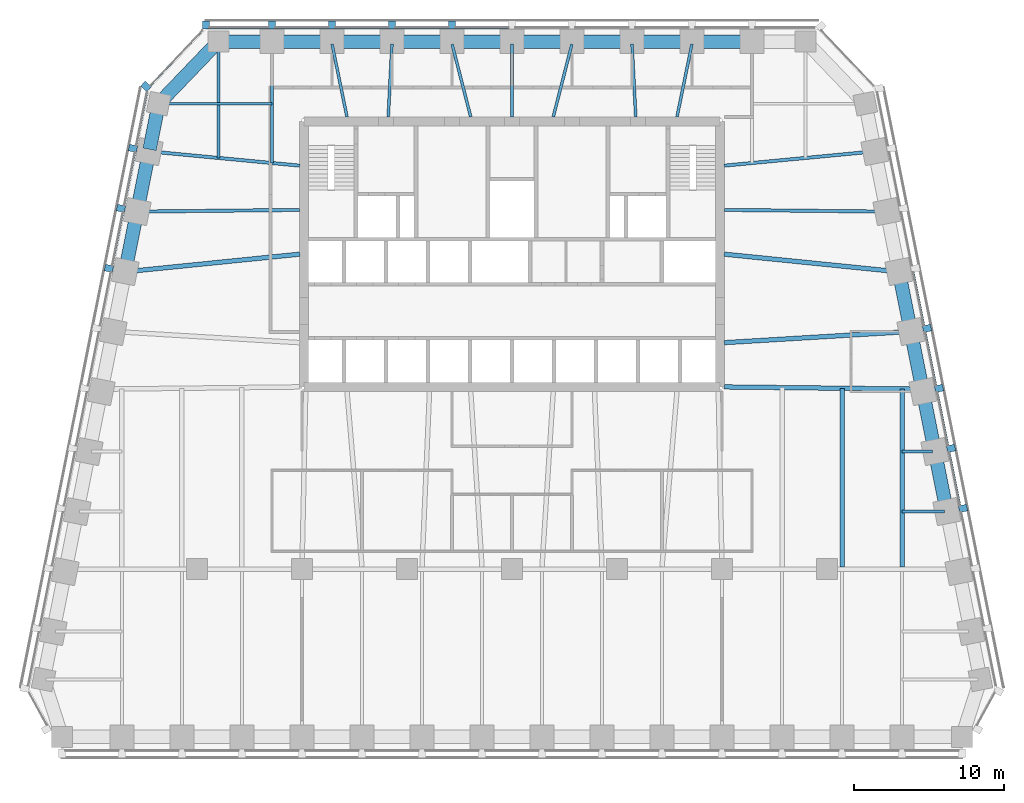
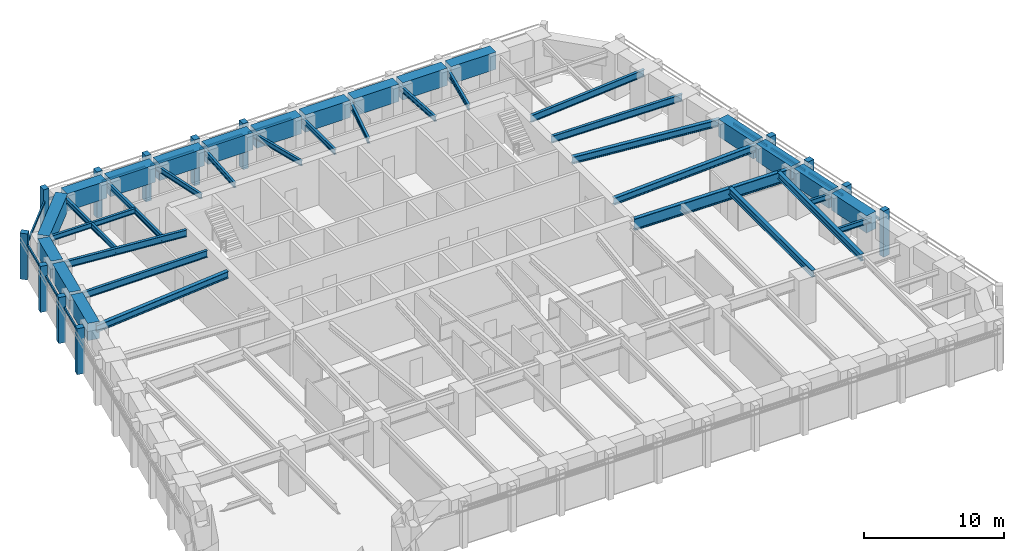
# One storey, part 3 of 9: 39 beams, 26 members, 4 elements without a shape of their own.
"""IFC4 building model written with IfcOpenShell, lengths in metres."""

from ifc_helpers import new_model, si_unit, direction, frame, origin, origin_2d, place, context, subcontext, project, spatial, rectangle, i_section, extrude, material, material_profile, profile_set, type_object, element, aggregate, save


model = new_model("IFC4")

# Units and contexts
model_context = context("Model", 3, precision=1e-05, world=origin(), true_north=direction((0.0, 1.0)))
body_context = subcontext(model_context, "Body", "Model", "MODEL_VIEW")
ifc_project = project(units=[si_unit("LENGTHUNIT", "METRE"), si_unit("AREAUNIT", "SQUARE_METRE"), si_unit("VOLUMEUNIT", "CUBIC_METRE"), si_unit("PLANEANGLEUNIT", "RADIAN"), si_unit("MASSUNIT", "GRAM", prefix="KILO")], contexts=[model_context])

# Site, building, storey
site_placement = place(None, origin())
site = spatial("IfcSite", under=ifc_project, at=site_placement, CompositionType="ELEMENT")
building_placement = place(site_placement, origin())
building = spatial("IfcBuilding", under=site, at=building_placement, Name="Isbrekke Arena Tower", CompositionType="ELEMENT")
storey_placement = place(building_placement, frame((0.0, 0.0, 178.0)))
storey = spatial("IfcBuildingStorey", under=building, at=storey_placement, Name="L40", CompositionType="ELEMENT", Elevation=178.0)

# Beams
ifc_material_1 = material(Name="Steel S355", Category="steel")
ifc_material_profile_1 = material_profile(ifc_material_1, i_section(OverallWidth=0.219970703125, OverallDepth=0.60009765625, WebThickness=0.011962890625, FlangeThickness=0.01904296875, FilletRadius=0.02392578125, at=origin_2d()), Name="IPE 600")
ifc_profile_set_1 = profile_set([ifc_material_profile_1], Name="Steel S355")
beam_type_1 = type_object("IfcBeamType", Name="B1 IPE 600", PredefinedType="BEAM", material=ifc_profile_set_1)
beam_1_placement = place(storey_placement, frame((24.83984375, 17.838134765625, 3.550048828125), z_axis=(-0.999945299061, 0.010459392202, 0.0), x_axis=(-0.010459392202, -0.999945299061, 0.0)))
element("IfcBeam", 1, at=beam_1_placement, inside=storey, type_object=beam_type_1, Name="B1 beam E-E09 L40", PredefinedType="BEAM", context=body_context, shape_type="SweptSolid", body=[
    extrude(i_section(OverallWidth=0.219970703125, OverallDepth=0.60009765625, WebThickness=0.011962890625, FlangeThickness=0.01904296875, FilletRadius=0.02392578125, at=origin_2d()), origin(), (0.0, 0.0, 1.0), 10.6904296875),
])
for number, where, z_axis, x_axis, name in (
    (2, (24.03076171875, 21.837158203125, 3.550048828125), (-0.99553133081, -0.094431823952, 0.0), (0.094431823952, -0.99553133081, 0.0), "B1 beam E-E10 L40"),
    (3, (-24.03076171875, 21.837158203125, 3.550048828125), (0.99553133081, -0.094431823952, 0.0), (0.094431823952, 0.99553133081, 0.0), "B1 beam E-W02 L40"),
):
    element("IfcBeam", number, at=place(storey_placement, frame(where, z_axis=z_axis, x_axis=x_axis)), inside=storey, type_object=beam_type_1, Name=name, PredefinedType="BEAM", context=body_context, shape_type="SweptSolid", body=[
        extrude(i_section(OverallWidth=0.219970703125, OverallDepth=0.60009765625, WebThickness=0.011962890625, FlangeThickness=0.01904296875, FilletRadius=0.02392578125, at=origin_2d()), origin(), (0.0, 0.0, 1.0), 9.92529296875),
    ])
beam_2_placement = place(storey_placement, frame((-24.83984375, 17.838134765625, 3.550048828125), z_axis=(0.999945299061, 0.010459392202, 0.0), x_axis=(-0.010459392202, 0.999945299061, 0.0)))
element("IfcBeam", 4, at=beam_2_placement, inside=storey, type_object=beam_type_1, Name="B1 beam E-W03 L40", PredefinedType="BEAM", context=body_context, shape_type="SweptSolid", body=[
    extrude(i_section(OverallWidth=0.219970703125, OverallDepth=0.60009765625, WebThickness=0.011962890625, FlangeThickness=0.01904296875, FilletRadius=0.02392578125, at=origin_2d()), origin(), (0.0, 0.0, 1.0), 10.6904296875),
])
ifc_material_2 = material(Name="Steel S355", Category="steel")
ifc_material_profile_2 = material_profile(ifc_material_2, i_section(OverallWidth=0.18994140625, OverallDepth=0.449951171875, WebThickness=0.009521484375, FlangeThickness=0.0146484375, FilletRadius=0.02099609375, at=origin_2d()), Name="IPE 450")
ifc_profile_set_2 = profile_set([ifc_material_profile_2], Name="Steel S355")
beam_type_2 = type_object("IfcBeamType", Name="B2 IPE 450", PredefinedType="BEAM", material=ifc_profile_set_2)
beam_3_placement = place(storey_placement, frame((28.841064453125, -2.161865234375, 3.625), z_axis=(-1.0, 0.0, 0.0), x_axis=(0.0, -1.0, 0.0)))
element("IfcBeam", 5, at=beam_3_placement, inside=storey, type_object=beam_type_2, Name="B2 beam E-E04 L40", PredefinedType="BEAM", context=body_context, shape_type="SweptSolid", body=[
    extrude(i_section(OverallWidth=0.18994140625, OverallDepth=0.449951171875, WebThickness=0.009521484375, FlangeThickness=0.0146484375, FilletRadius=0.02099609375, at=origin_2d()), origin(), (0.0, 0.0, 1.0), 2.841064453125),
])
beam_4_placement = place(storey_placement, frame((28.041015625, 1.838134765625, 3.625), z_axis=(-1.0, 0.0, 0.0), x_axis=(0.0, -1.0, 0.0)))
element("IfcBeam", 6, at=beam_4_placement, inside=storey, type_object=beam_type_2, Name="B2 beam E-E05 L40", PredefinedType="BEAM", context=body_context, shape_type="SweptSolid", body=[
    extrude(i_section(OverallWidth=0.18994140625, OverallDepth=0.449951171875, WebThickness=0.009521484375, FlangeThickness=0.0146484375, FilletRadius=0.02099609375, at=origin_2d()), origin(), (0.0, 0.0, 1.0), 2.041015625),
])
beam_5_placement = place(storey_placement, frame((-23.40283203125, 25.029296875, 3.625), z_axis=(1.0, 0.0, 0.0), x_axis=(0.0, 1.0, 0.0)))
element("IfcBeam", 7, at=beam_5_placement, inside=storey, type_object=beam_type_2, Name="B2 beam E-W01 L40", PredefinedType="BEAM", context=body_context, shape_type="SweptSolid", body=[
    extrude(i_section(OverallWidth=0.18994140625, OverallDepth=0.449951171875, WebThickness=0.009521484375, FlangeThickness=0.0146484375, FilletRadius=0.02099609375, at=origin_2d()), origin(), (0.0, 0.0, 1.0), 7.40283203125),
])
ifc_material_3 = material(Name="Steel S355", Category="steel")
ifc_material_profile_3 = material_profile(ifc_material_3, i_section(OverallWidth=0.18994140625, OverallDepth=0.449951171875, WebThickness=0.009521484375, FlangeThickness=0.0146484375, FilletRadius=0.02099609375, at=origin_2d()), Name="IPE 450")
ifc_profile_set_3 = profile_set([ifc_material_profile_3], Name="Steel S355")
beam_type_3 = type_object("IfcBeamType", Name="B3 IPE 450", PredefinedType="BEAM", material=ifc_profile_set_3)
beam_6_placement = place(storey_placement, frame((-16.0, 29.02490234375, 3.625), z_axis=(0.0, -1.0, 0.0), x_axis=(1.0, 0.0, 0.0)))
element("IfcBeam", 8, at=beam_6_placement, inside=storey, type_object=beam_type_3, Name="B3 beam N-N10 L40", PredefinedType="BEAM", context=body_context, shape_type="SweptSolid", body=[
    extrude(i_section(OverallWidth=0.18994140625, OverallDepth=0.449951171875, WebThickness=0.009521484375, FlangeThickness=0.0146484375, FilletRadius=0.02099609375, at=origin_2d()), origin(), (0.0, 0.0, 1.0), 7.949462890625),
])
beam_7_placement = place(storey_placement, frame((-19.574951171875, 29.02490234375, 3.625), z_axis=(0.0, -1.0, 0.0), x_axis=(1.0, 0.0, 0.0)))
element("IfcBeam", 9, at=beam_7_placement, inside=storey, type_object=beam_type_3, Name="B3 beam N-N11 L40", PredefinedType="BEAM", context=body_context, shape_type="SweptSolid", body=[
    extrude(i_section(OverallWidth=0.18994140625, OverallDepth=0.449951171875, WebThickness=0.009521484375, FlangeThickness=0.0146484375, FilletRadius=0.02099609375, at=origin_2d()), origin(), (0.0, 0.0, 1.0), 7.6103515625),
])
beam_8_placement = place(storey_placement, frame((11.99609375, 29.00634765625, 3.625), z_axis=(-0.200924755878, -0.979606677435, 0.0), x_axis=(0.979606677435, -0.200924755878, 0.0)))
element("IfcBeam", 10, at=beam_8_placement, inside=storey, type_object=beam_type_3, Name="B3 beam N-N03 L40", PredefinedType="BEAM", context=body_context, shape_type="SweptSolid", body=[
    extrude(i_section(OverallWidth=0.18994140625, OverallDepth=0.449951171875, WebThickness=0.009521484375, FlangeThickness=0.0146484375, FilletRadius=0.02099609375, at=origin_2d()), origin(), (0.0, 0.0, 1.0), 4.95751953125),
])
beam_9_placement = place(storey_placement, frame((8.000244140625, 29.02001953125, 3.625), z_axis=(0.051216032312, -0.998687597817, 0.0), x_axis=(0.998687597817, 0.051216032312, 0.0)))
element("IfcBeam", 11, at=beam_9_placement, inside=storey, type_object=beam_type_3, Name="B3 beam N-N04 L40", PredefinedType="BEAM", context=body_context, shape_type="SweptSolid", body=[
    extrude(i_section(OverallWidth=0.18994140625, OverallDepth=0.449951171875, WebThickness=0.009521484375, FlangeThickness=0.0146484375, FilletRadius=0.02099609375, at=origin_2d()), origin(), (0.0, 0.0, 1.0), 4.87646484375),
])
beam_10_placement = place(storey_placement, frame((3.994140625, 29.002197265625, 3.625), z_axis=(-0.248368314686, -0.968665670012, 0.0), x_axis=(0.968665670012, -0.248368314686, 0.0)))
element("IfcBeam", 12, at=beam_10_placement, inside=storey, type_object=beam_type_3, Name="B3 beam N-N05 L40", PredefinedType="BEAM", context=body_context, shape_type="SweptSolid", body=[
    extrude(i_section(OverallWidth=0.18994140625, OverallDepth=0.449951171875, WebThickness=0.009521484375, FlangeThickness=0.0146484375, FilletRadius=0.02099609375, at=origin_2d()), origin(), (0.0, 0.0, 1.0), 5.00927734375),
])
beam_11_placement = place(storey_placement, frame((0.0, 29.02490234375, 3.625), z_axis=(0.0, -1.0, 0.0), x_axis=(1.0, 0.0, 0.0)))
element("IfcBeam", 13, at=beam_11_placement, inside=storey, type_object=beam_type_3, Name="B3 beam N-N06 L40", PredefinedType="BEAM", context=body_context, shape_type="SweptSolid", body=[
    extrude(i_section(OverallWidth=0.18994140625, OverallDepth=0.449951171875, WebThickness=0.009521484375, FlangeThickness=0.0146484375, FilletRadius=0.02099609375, at=origin_2d()), origin(), (0.0, 0.0, 1.0), 4.875),
])
beam_12_placement = place(storey_placement, frame((-3.994140625, 29.002197265625, 3.625), z_axis=(0.248368314686, -0.968665670012, 0.0), x_axis=(0.968665670012, 0.248368314686, 0.0)))
element("IfcBeam", 14, at=beam_12_placement, inside=storey, type_object=beam_type_3, Name="B3 beam N-N07 L40", PredefinedType="BEAM", context=body_context, shape_type="SweptSolid", body=[
    extrude(i_section(OverallWidth=0.18994140625, OverallDepth=0.449951171875, WebThickness=0.009521484375, FlangeThickness=0.0146484375, FilletRadius=0.02099609375, at=origin_2d()), origin(), (0.0, 0.0, 1.0), 5.00927734375),
])
beam_13_placement = place(storey_placement, frame((-8.000244140625, 29.02001953125, 3.625), z_axis=(-0.051216032312, -0.998687597817, 0.0), x_axis=(0.998687597817, -0.051216032312, 0.0)))
element("IfcBeam", 15, at=beam_13_placement, inside=storey, type_object=beam_type_3, Name="B3 beam N-N08 L40", PredefinedType="BEAM", context=body_context, shape_type="SweptSolid", body=[
    extrude(i_section(OverallWidth=0.18994140625, OverallDepth=0.449951171875, WebThickness=0.009521484375, FlangeThickness=0.0146484375, FilletRadius=0.02099609375, at=origin_2d()), origin(), (0.0, 0.0, 1.0), 4.87646484375),
])
beam_14_placement = place(storey_placement, frame((-11.99609375, 29.00634765625, 3.625), z_axis=(0.200924755878, -0.979606677435, 0.0), x_axis=(0.979606677435, 0.200924755878, 0.0)))
element("IfcBeam", 16, at=beam_14_placement, inside=storey, type_object=beam_type_3, Name="B3 beam N-N09 L40", PredefinedType="BEAM", context=body_context, shape_type="SweptSolid", body=[
    extrude(i_section(OverallWidth=0.18994140625, OverallDepth=0.449951171875, WebThickness=0.009521484375, FlangeThickness=0.0146484375, FilletRadius=0.02099609375, at=origin_2d()), origin(), (0.0, 0.0, 1.0), 4.95751953125),
])
ifc_material_4 = material(Name="Steel S355", Category="steel")
ifc_material_profile_4 = material_profile(ifc_material_4, i_section(OverallWidth=0.300048828125, OverallDepth=0.60009765625, WebThickness=0.015380859375, FlangeThickness=0.030029296875, FilletRadius=0.027099609375, at=origin_2d()), Name="HEB 600")
ifc_profile_set_4 = profile_set([ifc_material_profile_4], Name="Steel S355")
beam_type_4 = type_object("IfcBeamType", Name="B7 HEB 600", PredefinedType="BEAM", material=ifc_profile_set_4)
beam_15_placement = place(storey_placement, frame((22.0, -5.84912109375, 3.550048828125), z_axis=(0.0, 1.0, 0.0), x_axis=(-1.0, 0.0, 0.0)))
element("IfcBeam", 17, at=beam_15_placement, inside=storey, type_object=beam_type_4, Name="B7 beam C-M13 L40", PredefinedType="BEAM", context=body_context, shape_type="SweptSolid", body=[
    extrude(i_section(OverallWidth=0.300048828125, OverallDepth=0.60009765625, WebThickness=0.015380859375, FlangeThickness=0.030029296875, FilletRadius=0.027099609375, at=origin_2d()), origin(), (0.0, 0.0, 1.0), 11.91015625),
])
beam_16_placement = place(storey_placement, frame((26.0, -5.84912109375, 3.550048828125), z_axis=(0.0, 1.0, 0.0), x_axis=(-1.0, 0.0, 0.0)))
element("IfcBeam", 18, at=beam_16_placement, inside=storey, type_object=beam_type_4, Name="B7 beam C-M14 L40", PredefinedType="BEAM", context=body_context, shape_type="SweptSolid", body=[
    extrude(i_section(OverallWidth=0.300048828125, OverallDepth=0.60009765625, WebThickness=0.015380859375, FlangeThickness=0.030029296875, FilletRadius=0.027099609375, at=origin_2d()), origin(), (0.0, 0.0, 1.0), 11.864990234375),
])
beam_17_placement = place(storey_placement, frame((26.43212890625, 9.837646484375, 3.550048828125), z_axis=(-0.998201854902, -0.059942112659, 0.0), x_axis=(0.059942112659, -0.998201854902, 0.0)))
element("IfcBeam", 19, at=beam_17_placement, inside=storey, type_object=beam_type_4, Name="B7 beam E-E07 L40", PredefinedType="BEAM", context=body_context, shape_type="SweptSolid", body=[
    extrude(i_section(OverallWidth=0.300048828125, OverallDepth=0.60009765625, WebThickness=0.015380859375, FlangeThickness=0.030029296875, FilletRadius=0.027099609375, at=origin_2d()), origin(), (0.0, 0.0, 1.0), 12.304443359375),
])
for number, where, z_axis, x_axis, name in (
    (20, (25.6259765625, 13.83984375, 3.550048828125), (-0.994928891111, 0.100580821396, 0.0), (-0.100580821396, -0.994928891111, 0.0), "B7 beam E-E08 L40"),
    (21, (-25.6259765625, 13.83984375, 3.550048828125), (0.994928891111, 0.100580821396, 0.0), (-0.100580821396, 0.994928891111, 0.0), "B7 beam E-W04 L40"),
):
    element("IfcBeam", number, at=place(storey_placement, frame(where, z_axis=z_axis, x_axis=x_axis)), inside=storey, type_object=beam_type_4, Name=name, PredefinedType="BEAM", context=body_context, shape_type="SweptSolid", body=[
        extrude(i_section(OverallWidth=0.300048828125, OverallDepth=0.60009765625, WebThickness=0.015380859375, FlangeThickness=0.030029296875, FilletRadius=0.027099609375, at=origin_2d()), origin(), (0.0, 0.0, 1.0), 11.53466796875),
    ])

# Curtain wall, members
ifc_material_5 = material(Name="Glazed aluminium curtain wall", Category="aluminium")
curtain_wall_type = type_object("IfcCurtainWallType", Name="CWH TOWER CURTAIN WALL HIGH ZONE", PredefinedType="USERDEFINED", material=ifc_material_5)
curtain_wall_1_placement = place(storey_placement, origin())
curtain_wall_1 = element("IfcCurtainWall", 22, at=curtain_wall_1_placement, inside=storey, type_object=curtain_wall_type, Name="CWH curtain wall L40-E", ObjectType="TOWER CURTAIN WALL HIGH ZONE", PredefinedType="USERDEFINED")
ifc_material_6 = material(Name="Aluminium mullion, pale brick slip cladding", Category="masonry")
ifc_material_profile_5 = material_profile(ifc_material_6, rectangle(XDim=0.449951171875, YDim=0.550048828125, at=origin_2d()), Name="PIER 450X550")
ifc_profile_set_5 = profile_set([ifc_material_profile_5], Name="Aluminium mullion, pale brick slip cladding")
member_type_1 = type_object("IfcMemberType", Name="CWH-M PIER MULLION 450 x 550", PredefinedType="MULLION", material=ifc_profile_set_5)
member_1_placement = place(storey_placement, frame((30.069580078125, -1.946044921875, 0.0), z_axis=(0.0, 0.0, 1.0), x_axis=(-0.196116135138, 0.980580675691, 0.0)))
member_1 = element("IfcMember", 23, at=member_1_placement, type_object=member_type_1, Name="CWH-M mullion 3", PredefinedType="MULLION", context=body_context, shape_type="SweptSolid", body=[
    extrude(rectangle(XDim=0.449951171875, YDim=0.550048828125, at=origin_2d()), origin(), (0.0, 0.0, 1.0), 4.0),
])
member_2_placement = place(storey_placement, frame((29.269775390625, 2.053955078125, 0.0), z_axis=(0.0, 0.0, 1.0), x_axis=(-0.196116135138, 0.980580675691, 0.0)))
member_2 = element("IfcMember", 24, at=member_2_placement, type_object=member_type_1, Name="CWH-M mullion 4", PredefinedType="MULLION", context=body_context, shape_type="SweptSolid", body=[
    extrude(rectangle(XDim=0.449951171875, YDim=0.550048828125, at=origin_2d()), origin(), (0.0, 0.0, 1.0), 4.0),
])
member_3_placement = place(storey_placement, frame((28.4697265625, 6.053955078125, 0.0), z_axis=(0.0, 0.0, 1.0), x_axis=(-0.196116135138, 0.980580675691, 0.0)))
member_3 = element("IfcMember", 25, at=member_3_placement, type_object=member_type_1, Name="CWH-M mullion 5", PredefinedType="MULLION", context=body_context, shape_type="SweptSolid", body=[
    extrude(rectangle(XDim=0.449951171875, YDim=0.550048828125, at=origin_2d()), origin(), (0.0, 0.0, 1.0), 4.0),
])
member_4_placement = place(storey_placement, frame((27.669677734375, 10.053955078125, 0.0), z_axis=(0.0, 0.0, 1.0), x_axis=(-0.196116135138, 0.980580675691, 0.0)))
member_4 = element("IfcMember", 26, at=member_4_placement, type_object=member_type_1, Name="CWH-M mullion 6", PredefinedType="MULLION", context=body_context, shape_type="SweptSolid", body=[
    extrude(rectangle(XDim=0.449951171875, YDim=0.550048828125, at=origin_2d()), origin(), (0.0, 0.0, 1.0), 4.0),
])

curtain_wall_2_placement = place(storey_placement, origin())
curtain_wall_2 = element("IfcCurtainWall", 27, at=curtain_wall_2_placement, inside=storey, type_object=curtain_wall_type, Name="CWH curtain wall L40-N", ObjectType="TOWER CURTAIN WALL HIGH ZONE", PredefinedType="USERDEFINED")
member_5_placement = place(storey_placement, frame((-4.0, 30.27490234375, 0.0), z_axis=(0.0, 0.0, 1.0), x_axis=(-1.0, 0.0, 0.0)))
member_5 = element("IfcMember", 28, at=member_5_placement, type_object=member_type_1, Name="CWH-M mullion 6", PredefinedType="MULLION", context=body_context, shape_type="SweptSolid", body=[
    extrude(rectangle(XDim=0.449951171875, YDim=0.550048828125, at=origin_2d()), origin(), (0.0, 0.0, 1.0), 4.0),
])
member_6_placement = place(storey_placement, frame((-8.0, 30.27490234375, 0.0), z_axis=(0.0, 0.0, 1.0), x_axis=(-1.0, 0.0, 0.0)))
member_6 = element("IfcMember", 29, at=member_6_placement, type_object=member_type_1, Name="CWH-M mullion 7", PredefinedType="MULLION", context=body_context, shape_type="SweptSolid", body=[
    extrude(rectangle(XDim=0.449951171875, YDim=0.550048828125, at=origin_2d()), origin(), (0.0, 0.0, 1.0), 4.0),
])
member_7_placement = place(storey_placement, frame((-12.0, 30.27490234375, 0.0), z_axis=(0.0, 0.0, 1.0), x_axis=(-1.0, 0.0, 0.0)))
member_7 = element("IfcMember", 30, at=member_7_placement, type_object=member_type_1, Name="CWH-M mullion 8", PredefinedType="MULLION", context=body_context, shape_type="SweptSolid", body=[
    extrude(rectangle(XDim=0.449951171875, YDim=0.550048828125, at=origin_2d()), origin(), (0.0, 0.0, 1.0), 4.0),
])
member_8_placement = place(storey_placement, frame((-16.0, 30.27490234375, 0.0), z_axis=(0.0, 0.0, 1.0), x_axis=(-1.0, 0.0, 0.0)))
member_8 = element("IfcMember", 31, at=member_8_placement, type_object=member_type_1, Name="CWH-M mullion 9", PredefinedType="MULLION", context=body_context, shape_type="SweptSolid", body=[
    extrude(rectangle(XDim=0.449951171875, YDim=0.550048828125, at=origin_2d()), origin(), (0.0, 0.0, 1.0), 4.0),
])
member_9_placement = place(storey_placement, frame((-20.39990234375, 30.27490234375, 0.0), z_axis=(0.0, 0.0, 1.0), x_axis=(-1.0, 0.0, 0.0)))
member_9 = element("IfcMember", 32, at=member_9_placement, type_object=member_type_1, Name="CWH-M mullion 10", PredefinedType="MULLION", context=body_context, shape_type="SweptSolid", body=[
    extrude(rectangle(XDim=0.449951171875, YDim=0.550048828125, at=origin_2d()), origin(), (0.0, 0.0, 1.0), 4.0),
])

# Curtain wall, member
curtain_wall_3_placement = place(storey_placement, origin())
curtain_wall_3 = element("IfcCurtainWall", 33, at=curtain_wall_3_placement, inside=storey, type_object=curtain_wall_type, Name="CWH curtain wall L40-NW", ObjectType="TOWER CURTAIN WALL HIGH ZONE", PredefinedType="USERDEFINED")
member_10_placement = place(storey_placement, frame((-24.3994140625, 26.189453125, 0.0), z_axis=(0.0, 0.0, 1.0), x_axis=(-0.68874946192, -0.72499943359, 0.0)))
member_10 = element("IfcMember", 34, at=member_10_placement, type_object=member_type_1, Name="CWH-M mullion 1", PredefinedType="MULLION", context=body_context, shape_type="SweptSolid", body=[
    extrude(rectangle(XDim=0.449951171875, YDim=0.550048828125, at=origin_2d()), origin(), (0.0, 0.0, 1.0), 4.0),
])

# Curtain wall, members
curtain_wall_4_placement = place(storey_placement, origin())
curtain_wall_4 = element("IfcCurtainWall", 35, at=curtain_wall_4_placement, inside=storey, type_object=curtain_wall_type, Name="CWH curtain wall L40-W", ObjectType="TOWER CURTAIN WALL HIGH ZONE", PredefinedType="USERDEFINED")
member_11_placement = place(storey_placement, frame((-25.269775390625, 22.053955078125, 0.0), z_axis=(0.0, 0.0, 1.0), x_axis=(-0.196116135138, -0.980580675691, 0.0)))
member_11 = element("IfcMember", 36, at=member_11_placement, type_object=member_type_1, Name="CWH-M mullion 1", PredefinedType="MULLION", context=body_context, shape_type="SweptSolid", body=[
    extrude(rectangle(XDim=0.449951171875, YDim=0.550048828125, at=origin_2d()), origin(), (0.0, 0.0, 1.0), 4.0),
])
member_12_placement = place(storey_placement, frame((-26.069580078125, 18.053955078125, 0.0), z_axis=(0.0, 0.0, 1.0), x_axis=(-0.196116135138, -0.980580675691, 0.0)))
member_12 = element("IfcMember", 37, at=member_12_placement, type_object=member_type_1, Name="CWH-M mullion 2", PredefinedType="MULLION", context=body_context, shape_type="SweptSolid", body=[
    extrude(rectangle(XDim=0.449951171875, YDim=0.550048828125, at=origin_2d()), origin(), (0.0, 0.0, 1.0), 4.0),
])
member_13_placement = place(storey_placement, frame((-26.86962890625, 14.053955078125, 0.0), z_axis=(0.0, 0.0, 1.0), x_axis=(-0.196116135138, -0.980580675691, 0.0)))
member_13 = element("IfcMember", 38, at=member_13_placement, type_object=member_type_1, Name="CWH-M mullion 3", PredefinedType="MULLION", context=body_context, shape_type="SweptSolid", body=[
    extrude(rectangle(XDim=0.449951171875, YDim=0.550048828125, at=origin_2d()), origin(), (0.0, 0.0, 1.0), 4.0),
])

# Member
ifc_material_7 = material(Name="Aluminium transom", Category="aluminium")
ifc_material_profile_6 = material_profile(ifc_material_7, rectangle(XDim=0.1201171875, YDim=0.199951171875, at=origin_2d()), Name="TRANSOM 120X200")
ifc_profile_set_6 = profile_set([ifc_material_profile_6], Name="Aluminium transom")
member_type_2 = type_object("IfcMemberType", Name="CWH-T TRANSOM 120 x 200", PredefinedType="USERDEFINED", material=ifc_profile_set_6)
member_14_placement = place(storey_placement, frame((29.85400390625, -1.759765625, 3.0), z_axis=(-0.196154943734, 0.980572913173, 0.0), x_axis=(-0.980572913173, -0.196154943734, 0.0)))
member_14 = element("IfcMember", 39, at=member_14_placement, type_object=member_type_2, Name="CWH-T transom 4", ObjectType="TRANSOM", PredefinedType="USERDEFINED", context=body_context, shape_type="SweptSolid", body=[
    extrude(rectangle(XDim=0.1201171875, YDim=0.199951171875, at=origin_2d()), origin(), (0.0, 0.0, 1.0), 3.62939453125),
])

member_15_placement = place(storey_placement, frame((29.053955078125, 2.240234375, 3.0), z_axis=(-0.196090262229, 0.980585849918, 0.0), x_axis=(-0.980585849918, -0.196090262229, 0.0)))
member_15 = element("IfcMember", 40, at=member_15_placement, type_object=member_type_2, Name="CWH-T transom 5", ObjectType="TRANSOM", PredefinedType="USERDEFINED", context=body_context, shape_type="SweptSolid", body=[
    extrude(rectangle(XDim=0.1201171875, YDim=0.199951171875, at=origin_2d()), origin(), (0.0, 0.0, 1.0), 3.62939453125),
])

member_16_placement = place(storey_placement, frame((28.25390625, 6.240234375, 3.0), z_axis=(-0.196090262229, 0.980585849918, 0.0), x_axis=(-0.980585849918, -0.196090262229, 0.0)))
member_16 = element("IfcMember", 41, at=member_16_placement, type_object=member_type_2, Name="CWH-T transom 6", ObjectType="TRANSOM", PredefinedType="USERDEFINED", context=body_context, shape_type="SweptSolid", body=[
    extrude(rectangle(XDim=0.1201171875, YDim=0.199951171875, at=origin_2d()), origin(), (0.0, 0.0, 1.0), 3.62939453125),
])

member_17_placement = place(storey_placement, frame((27.453857421875, 10.240234375, 3.0), z_axis=(-0.196090262229, 0.980585849918, 0.0), x_axis=(-0.980585849918, -0.196090262229, 0.0)))
member_17 = element("IfcMember", 42, at=member_17_placement, type_object=member_type_2, Name="CWH-T transom 7", ObjectType="TRANSOM", PredefinedType="USERDEFINED", context=body_context, shape_type="SweptSolid", body=[
    extrude(rectangle(XDim=0.1201171875, YDim=0.199951171875, at=origin_2d()), origin(), (0.0, 0.0, 1.0), 3.62939453125),
])

aggregate(curtain_wall_1, [member_1, member_2, member_3, member_4, member_14, member_15, member_16, member_17])

member_18_placement = place(storey_placement, frame((-0.22509765625, 30.10009765625, 3.0), z_axis=(-1.0, 0.0, 0.0), x_axis=(0.0, -1.0, 0.0)))
member_18 = element("IfcMember", 43, at=member_18_placement, type_object=member_type_2, Name="CWH-T transom 6", ObjectType="TRANSOM", PredefinedType="USERDEFINED", context=body_context, shape_type="SweptSolid", body=[
    extrude(rectangle(XDim=0.1201171875, YDim=0.199951171875, at=origin_2d()), origin(), (0.0, 0.0, 1.0), 3.5498046875),
])

member_19_placement = place(storey_placement, frame((-4.22509765625, 30.10009765625, 3.0), z_axis=(-1.0, 0.0, 0.0), x_axis=(0.0, -1.0, 0.0)))
member_19 = element("IfcMember", 44, at=member_19_placement, type_object=member_type_2, Name="CWH-T transom 7", ObjectType="TRANSOM", PredefinedType="USERDEFINED", context=body_context, shape_type="SweptSolid", body=[
    extrude(rectangle(XDim=0.1201171875, YDim=0.199951171875, at=origin_2d()), origin(), (0.0, 0.0, 1.0), 3.5498046875),
])

member_20_placement = place(storey_placement, frame((-8.22509765625, 30.10009765625, 3.0), z_axis=(-1.0, 0.0, 0.0), x_axis=(0.0, -1.0, 0.0)))
member_20 = element("IfcMember", 45, at=member_20_placement, type_object=member_type_2, Name="CWH-T transom 8", ObjectType="TRANSOM", PredefinedType="USERDEFINED", context=body_context, shape_type="SweptSolid", body=[
    extrude(rectangle(XDim=0.1201171875, YDim=0.199951171875, at=origin_2d()), origin(), (0.0, 0.0, 1.0), 3.5498046875),
])

member_21_placement = place(storey_placement, frame((-12.22509765625, 30.10009765625, 3.0), z_axis=(-1.0, 0.0, 0.0), x_axis=(0.0, -1.0, 0.0)))
member_21 = element("IfcMember", 46, at=member_21_placement, type_object=member_type_2, Name="CWH-T transom 9", ObjectType="TRANSOM", PredefinedType="USERDEFINED", context=body_context, shape_type="SweptSolid", body=[
    extrude(rectangle(XDim=0.1201171875, YDim=0.199951171875, at=origin_2d()), origin(), (0.0, 0.0, 1.0), 3.5498046875),
])

member_22_placement = place(storey_placement, frame((-16.22509765625, 30.10009765625, 3.0), z_axis=(-1.0, 0.0, 0.0), x_axis=(0.0, -1.0, 0.0)))
member_22 = element("IfcMember", 47, at=member_22_placement, type_object=member_type_2, Name="CWH-T transom 10", ObjectType="TRANSOM", PredefinedType="USERDEFINED", context=body_context, shape_type="SweptSolid", body=[
    extrude(rectangle(XDim=0.1201171875, YDim=0.199951171875, at=origin_2d()), origin(), (0.0, 0.0, 1.0), 3.949951171875),
])

aggregate(curtain_wall_2, [member_5, member_6, member_7, member_8, member_9, member_18, member_19, member_20, member_21, member_22])

member_23_placement = place(storey_placement, frame((-20.62744140625, 29.90576171875, 3.0), z_axis=(-0.688734266994, -0.725013868466, 0.0), x_axis=(0.725013868466, -0.688734266994, 0.0)))
member_23 = element("IfcMember", 48, at=member_23_placement, type_object=member_type_2, Name="CWH-T transom 1", ObjectType="TRANSOM", PredefinedType="USERDEFINED", context=body_context, shape_type="SweptSolid", body=[
    extrude(rectangle(XDim=0.1201171875, YDim=0.199951171875, at=origin_2d()), origin(), (0.0, 0.0, 1.0), 5.067138671875),
])

aggregate(curtain_wall_3, [member_10, member_23])

member_24_placement = place(storey_placement, frame((-24.34228515625, 25.799072265625, 3.0), z_axis=(-0.196090262229, -0.980585849918, 0.0), x_axis=(0.980585849918, -0.196090262229, 0.0)))
member_24 = element("IfcMember", 49, at=member_24_placement, type_object=member_type_2, Name="CWH-T transom 1", ObjectType="TRANSOM", PredefinedType="USERDEFINED", context=body_context, shape_type="SweptSolid", body=[
    extrude(rectangle(XDim=0.1201171875, YDim=0.199951171875, at=origin_2d()), origin(), (0.0, 0.0, 1.0), 3.62939453125),
])

member_25_placement = place(storey_placement, frame((-25.14208984375, 21.799072265625, 3.0), z_axis=(-0.196154943734, -0.980572913173, 0.0), x_axis=(0.980572913173, -0.196154943734, 0.0)))
member_25 = element("IfcMember", 50, at=member_25_placement, type_object=member_type_2, Name="CWH-T transom 2", ObjectType="TRANSOM", PredefinedType="USERDEFINED", context=body_context, shape_type="SweptSolid", body=[
    extrude(rectangle(XDim=0.1201171875, YDim=0.199951171875, at=origin_2d()), origin(), (0.0, 0.0, 1.0), 3.62939453125),
])

member_26_placement = place(storey_placement, frame((-25.942138671875, 17.799072265625, 3.0), z_axis=(-0.196154943734, -0.980572913173, 0.0), x_axis=(0.980572913173, -0.196154943734, 0.0)))
member_26 = element("IfcMember", 51, at=member_26_placement, type_object=member_type_2, Name="CWH-T transom 3", ObjectType="TRANSOM", PredefinedType="USERDEFINED", context=body_context, shape_type="SweptSolid", body=[
    extrude(rectangle(XDim=0.1201171875, YDim=0.199951171875, at=origin_2d()), origin(), (0.0, 0.0, 1.0), 3.62939453125),
])

aggregate(curtain_wall_4, [member_11, member_12, member_13, member_24, member_25, member_26])

# Beams
ifc_material_8 = material(Name="Steel S355", Category="steel")
ifc_material_profile_7 = material_profile(ifc_material_8, i_section(OverallWidth=0.302001953125, OverallDepth=1.008056640625, WebThickness=0.02099609375, FlangeThickness=0.0400390625, FilletRadius=0.030029296875, at=origin_2d()), Name="HEM 1000")
ifc_profile_set_7 = profile_set([ifc_material_profile_7], Name="Steel S355")
beam_type_5 = type_object("IfcBeamType", Name="G2 HEM 1000", PredefinedType="BEAM", material=ifc_profile_set_7)
beam_18_placement = place(storey_placement, frame((14.14990234375, 6.14990234375, 3.345947265625), z_axis=(0.999935908299, -0.011321629528, 0.0), x_axis=(0.011321629528, 0.999935908299, 0.0)))
element("IfcBeam", 52, at=beam_18_placement, inside=storey, type_object=beam_type_5, Name="G2 beam G2-E L40", PredefinedType="BEAM", context=body_context, shape_type="SweptSolid", body=[
    extrude(i_section(OverallWidth=0.302001953125, OverallDepth=1.008056640625, WebThickness=0.02099609375, FlangeThickness=0.0400390625, FilletRadius=0.030029296875, at=origin_2d()), origin(), (0.0, 0.0, 1.0), 13.240234375),
])
ifc_material_9 = material(Name="Concrete B65 (C65/80)", Category="concrete")
ifc_material_profile_8 = material_profile(ifc_material_9, rectangle(XDim=0.89990234375, YDim=1.5, at=origin_2d()), Name="RC 900x1500")
ifc_profile_set_8 = profile_set([ifc_material_profile_8], Name="Concrete B65 (C65/80)")
beam_type_6 = type_object("IfcBeamType", Name="SB3 RC 900 x 1500", PredefinedType="SPANDREL", material=ifc_profile_set_8)
for number, where, z_axis, x_axis, name in (
    (53, (28.961669921875, -2.0146484375, 3.25), (-0.196128558387, 0.980578190959, 0.0), (-0.980578190959, -0.196128558387, 0.0), "SB3 spandrel E04-E05 L40"),
    (54, (28.16162109375, 1.9853515625, 3.25), (-0.196128558387, 0.980578190959, 0.0), (-0.980578190959, -0.196128558387, 0.0), "SB3 spandrel E05-E06 L40"),
    (55, (27.361572265625, 5.9853515625, 3.25), (-0.196128558387, 0.980578190959, 0.0), (-0.980578190959, -0.196128558387, 0.0), "SB3 spandrel E06-E07 L40"),
):
    element("IfcBeam", number, at=place(storey_placement, frame(where, z_axis=z_axis, x_axis=x_axis)), inside=storey, type_object=beam_type_6, Name=name, PredefinedType="SPANDREL", context=body_context, shape_type="SweptSolid", body=[
        extrude(rectangle(XDim=0.89990234375, YDim=1.5, at=origin_2d()), origin(), (0.0, 0.0, 1.0), 3.779296875),
    ])
beam_19_placement = place(storey_placement, frame((26.5615234375, 9.9853515625, 3.25), z_axis=(-0.1960664412, 0.980590613169, 0.0), x_axis=(-0.980590613169, -0.1960664412, 0.0)))
element("IfcBeam", 56, at=beam_19_placement, inside=storey, type_object=beam_type_6, Name="SB3 spandrel E07-E08 L40", PredefinedType="SPANDREL", context=body_context, shape_type="SweptSolid", body=[
    extrude(rectangle(XDim=0.89990234375, YDim=1.5, at=origin_2d()), origin(), (0.0, 0.0, 1.0), 3.779052734375),
])
for number, where, z_axis, x_axis, name in (
    (57, (15.85009765625, 29.175048828125, 3.25), (-1.0, 0.0, 0.0), (0.0, -1.0, 0.0), "SB3 spandrel N02-N03 L40"),
    (58, (11.85009765625, 29.175048828125, 3.25), (-1.0, 0.0, 0.0), (0.0, -1.0, 0.0), "SB3 spandrel N03-N04 L40"),
    (59, (7.85009765625, 29.175048828125, 3.25), (-1.0, 0.0, 0.0), (0.0, -1.0, 0.0), "SB3 spandrel N04-N05 L40"),
    (60, (3.85009765625, 29.175048828125, 3.25), (-1.0, 0.0, 0.0), (0.0, -1.0, 0.0), "SB3 spandrel N05-N06 L40"),
    (61, (-0.14990234375, 29.175048828125, 3.25), (-1.0, 0.0, 0.0), (0.0, -1.0, 0.0), "SB3 spandrel N06-N07 L40"),
    (62, (-4.14990234375, 29.175048828125, 3.25), (-1.0, 0.0, 0.0), (0.0, -1.0, 0.0), "SB3 spandrel N07-N08 L40"),
    (63, (-8.14990234375, 29.175048828125, 3.25), (-1.0, 0.0, 0.0), (0.0, -1.0, 0.0), "SB3 spandrel N08-N09 L40"),
    (64, (-12.14990234375, 29.175048828125, 3.25), (-1.0, 0.0, 0.0), (0.0, -1.0, 0.0), "SB3 spandrel N09-N10 L40"),
):
    element("IfcBeam", number, at=place(storey_placement, frame(where, z_axis=z_axis, x_axis=x_axis)), inside=storey, type_object=beam_type_6, Name=name, PredefinedType="SPANDREL", context=body_context, shape_type="SweptSolid", body=[
        extrude(rectangle(XDim=0.89990234375, YDim=1.5, at=origin_2d()), origin(), (0.0, 0.0, 1.0), 3.7001953125),
    ])
beam_20_placement = place(storey_placement, frame((-16.14990234375, 29.175048828125, 3.25), z_axis=(-1.0, 0.0, 0.0), x_axis=(0.0, -1.0, 0.0)))
element("IfcBeam", 65, at=beam_20_placement, inside=storey, type_object=beam_type_6, Name="SB3 spandrel N10-N11 L40", PredefinedType="SPANDREL", context=body_context, shape_type="SweptSolid", body=[
    extrude(rectangle(XDim=0.89990234375, YDim=1.5, at=origin_2d()), origin(), (0.0, 0.0, 1.0), 3.275146484375),
])
beam_21_placement = place(storey_placement, frame((-19.678955078125, 29.066650390625, 3.25), z_axis=(-0.692339547635, -0.721571861134, 0.0), x_axis=(0.721571861134, -0.692339547635, 0.0)))
element("IfcBeam", 66, at=beam_21_placement, inside=storey, type_object=beam_type_6, Name="SB3 spandrel N11-W01 L40", PredefinedType="SPANDREL", context=body_context, shape_type="SweptSolid", body=[
    extrude(rectangle(XDim=0.89990234375, YDim=1.5, at=origin_2d()), origin(), (0.0, 0.0, 1.0), 5.4453125),
])
beam_22_placement = place(storey_placement, frame((-23.582275390625, 24.882080078125, 3.25), z_axis=(-0.196116135138, -0.980580675691, 0.0), x_axis=(0.980580675691, -0.196116135138, 0.0)))
element("IfcBeam", 67, at=beam_22_placement, inside=storey, type_object=beam_type_6, Name="SB3 spandrel W01-W02 L40", PredefinedType="SPANDREL", context=body_context, shape_type="SweptSolid", body=[
    extrude(rectangle(XDim=0.89990234375, YDim=1.5, at=origin_2d()), origin(), (0.0, 0.0, 1.0), 2.9541015625),
])
for number, where, z_axis, x_axis, name in (
    (68, (-24.220458984375, 21.691162109375, 3.25), (-0.196128558387, -0.980578190959, 0.0), (0.980578190959, -0.196128558387, 0.0), "SB3 spandrel W02-W03 L40"),
    (69, (-25.0205078125, 17.691162109375, 3.25), (-0.196128558387, -0.980578190959, 0.0), (0.980578190959, -0.196128558387, 0.0), "SB3 spandrel W03-W04 L40"),
):
    element("IfcBeam", number, at=place(storey_placement, frame(where, z_axis=z_axis, x_axis=x_axis)), inside=storey, type_object=beam_type_6, Name=name, PredefinedType="SPANDREL", context=body_context, shape_type="SweptSolid", body=[
        extrude(rectangle(XDim=0.89990234375, YDim=1.5, at=origin_2d()), origin(), (0.0, 0.0, 1.0), 3.779296875),
    ])

save(model, "model.ifc")
